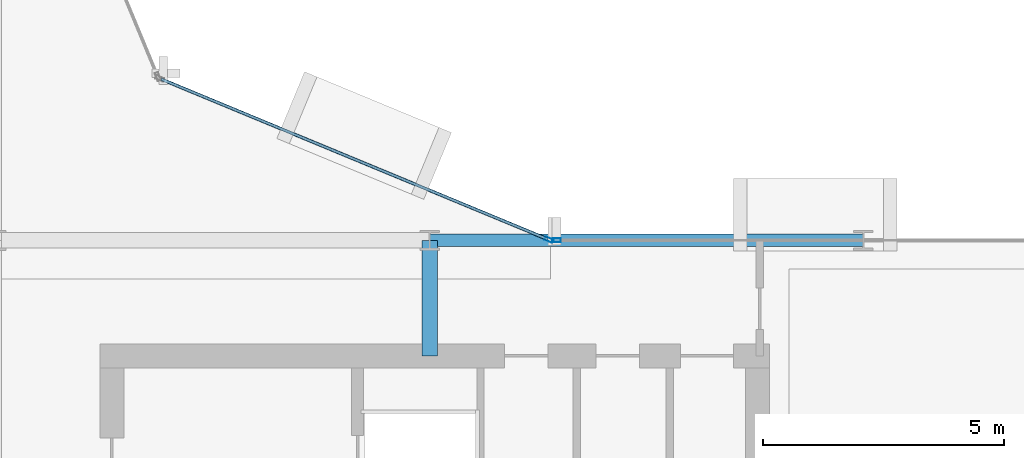
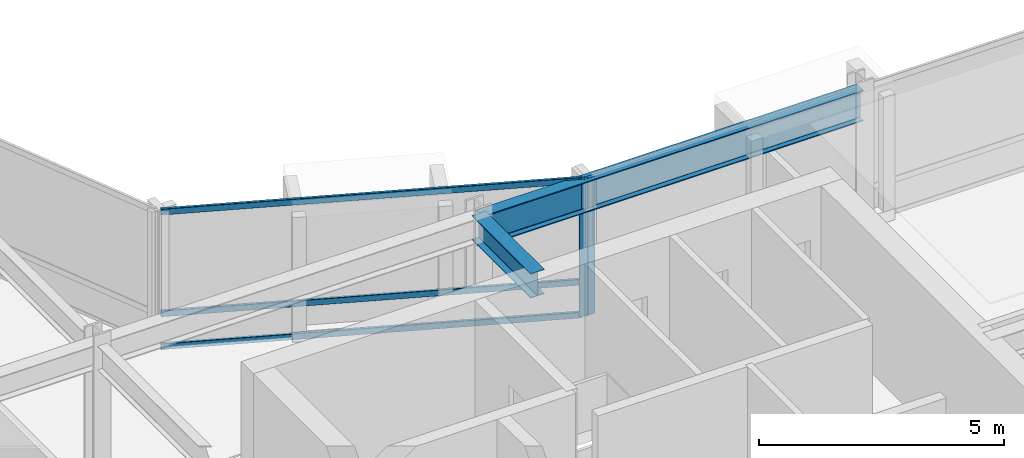
# One storey, part 12 of 27: 5 members, 2 beams, 2 elements without a shape of their own.
"""IFC4 building model written with IfcOpenShell, lengths in metres."""

from ifc_helpers import new_model, si_unit, direction, frame, origin, origin_2d, place, context, subcontext, project, spatial, hollow_rectangle, i_section, extrude, material, layer, layer_set, material_profile, profile_set, type_object, element, aggregate, save


model = new_model("IFC4")

# Units and contexts
model_context = context("Model", 3, precision=1e-05, world=origin(), true_north=direction((0.0, 1.0)))
body_context = subcontext(model_context, "Body", "Model", "MODEL_VIEW")
ifc_project = project(units=[si_unit("LENGTHUNIT", "METRE"), si_unit("AREAUNIT", "SQUARE_METRE"), si_unit("VOLUMEUNIT", "CUBIC_METRE"), si_unit("PLANEANGLEUNIT", "RADIAN"), si_unit("MASSUNIT", "GRAM", prefix="KILO")], contexts=[model_context])

# Site, building, storey
site_placement = place(None, origin())
site = spatial("IfcSite", under=ifc_project, at=site_placement, CompositionType="ELEMENT")
building_placement = place(site_placement, origin())
building = spatial("IfcBuilding", under=site, at=building_placement, Name="Solvaryn Broadcast Tower", CompositionType="ELEMENT")
storey_placement = place(building_placement, frame((0.0, 0.0, 185.300048828125)))
storey = spatial("IfcBuildingStorey", under=building, at=storey_placement, Name="L46", CompositionType="ELEMENT", Elevation=185.300048828125)

# Beams
ifc_material_1 = material(Name="Steel ASTM A992 Grade 50", Category="steel")
ifc_material_profile_1 = material_profile(ifc_material_1, i_section(OverallWidth=0.323974609375, OverallDepth=0.611083984375, WebThickness=0.0126953125, FlangeThickness=0.01904296875, FilletRadius=0.014892578125, at=origin_2d()))
ifc_profile_set_1 = profile_set([ifc_material_profile_1], Name="Steel ASTM A992 Grade 50")
beam_type_1 = type_object("IfcBeamType", Name="BM-B1-W24X104", PredefinedType="BEAM", material=ifc_profile_set_1)
beam_1_placement = place(storey_placement, frame((36.0, 24.60009765625, 3.114501953125), z_axis=(0.0, 1.0, 0.0), x_axis=(-1.0, 0.0, 0.0)))
element("IfcBeam", 1, at=beam_1_placement, inside=storey, type_object=beam_type_1, Name="L46 Core Tie Beam CTE2", PredefinedType="BEAM", context=body_context, shape_type="SweptSolid", body=[
    extrude(i_section(OverallWidth=0.323974609375, OverallDepth=0.611083984375, WebThickness=0.0126953125, FlangeThickness=0.01904296875, FilletRadius=0.014892578125, at=origin_2d()), origin(), (0.0, 0.0, 1.0), 2.39990234375),
])
ifc_material_2 = material(Name="Steel ASTM A992 Grade 50", Category="steel")
ifc_material_profile_2 = material_profile(ifc_material_2, i_section(OverallWidth=0.26708984375, OverallDepth=0.76611328125, WebThickness=0.014892578125, FlangeThickness=0.023681640625, FilletRadius=0.01806640625, at=origin_2d()))
ifc_profile_set_2 = profile_set([ifc_material_profile_2], Name="Steel ASTM A992 Grade 50")
beam_type_2 = type_object("IfcBeamType", Name="BM-SP2-W30X124", PredefinedType="USERDEFINED", material=ifc_profile_set_2)
beam_2_placement = place(storey_placement, frame((36.0, 27.0, 3.036865234375), z_axis=(1.0, 0.0, 0.0), x_axis=(0.0, 1.0, 0.0)))
element("IfcBeam", 2, at=beam_2_placement, inside=storey, type_object=beam_type_2, Name="L46 Spandrel Beam X (36-45 @ Y=27)", ObjectType="SPANDREL", PredefinedType="USERDEFINED", context=body_context, shape_type="SweptSolid", body=[
    extrude(i_section(OverallWidth=0.26708984375, OverallDepth=0.76611328125, WebThickness=0.014892578125, FlangeThickness=0.023681640625, FilletRadius=0.01806640625, at=origin_2d()), origin(), (0.0, 0.0, 1.0), 9.0),
])

# Curtain wall, member
ifc_material_3 = material(Name="Aluminium and Terracotta Unitised Curtain Wall", Category="masonry")
ifc_layer = layer(ifc_material_3, 0.199951171875)
ifc_layer_set = layer_set([ifc_layer], Name="CW-SYS2-LOWMID")
curtain_wall_type = type_object("IfcCurtainWallType", Name="CW-SYS2-LOWMID", PredefinedType="NOTDEFINED", material=ifc_layer_set)
curtain_wall_1_placement = place(storey_placement, origin())
curtain_wall_1 = element("IfcCurtainWall", 3, at=curtain_wall_1_placement, inside=storey, type_object=curtain_wall_type, Name="L46 Curtain Wall CN1", PredefinedType="NOTDEFINED")
ifc_material_4 = material(Name="Anodised Aluminium 6063-T6", Category="aluminium")
ifc_material_profile_3 = material_profile(ifc_material_4, hollow_rectangle(XDim=0.074951171875, YDim=0.179931640625, WallThickness=0.00390625, InnerFilletRadius=0.00390625, OuterFilletRadius=0.008056640625, at=origin_2d()))
ifc_profile_set_3 = profile_set([ifc_material_profile_3], Name="Anodised Aluminium 6063-T6")
member_type_1 = type_object("IfcMemberType", Name="CW-MUL-180", PredefinedType="MULLION", material=ifc_profile_set_3)
member_1_placement = place(storey_placement, frame((38.47216796875, 27.011474609375, 0.0), z_axis=(0.0, 0.0, 1.0), x_axis=(-0.382646127145, -0.923894983957, 0.0)))
member_1 = element("IfcMember", 4, at=member_1_placement, type_object=member_type_1, Name="CWS2 mullion 1", PredefinedType="MULLION", context=body_context, shape_type="SweptSolid", body=[
    extrude(hollow_rectangle(XDim=0.074951171875, YDim=0.179931640625, WallThickness=0.00390625, InnerFilletRadius=0.00390625, OuterFilletRadius=0.008056640625, at=origin_2d()), origin(), (0.0, 0.0, 1.0), 3.419921875),
])

curtain_wall_2_placement = place(storey_placement, origin())
curtain_wall_2 = element("IfcCurtainWall", 5, at=curtain_wall_2_placement, inside=storey, type_object=curtain_wall_type, Name="L46 Curtain Wall IH", PredefinedType="NOTDEFINED")
member_2_placement = place(storey_placement, frame((38.6298828125, 27.0, 0.0), z_axis=(0.0, 0.0, 1.0), x_axis=(0.0, 1.0, 0.0)))
member_2 = element("IfcMember", 6, at=member_2_placement, type_object=member_type_1, Name="CWS2 mullion 1", PredefinedType="MULLION", context=body_context, shape_type="SweptSolid", body=[
    extrude(hollow_rectangle(XDim=0.074951171875, YDim=0.179931640625, WallThickness=0.00390625, InnerFilletRadius=0.00390625, OuterFilletRadius=0.008056640625, at=origin_2d()), origin(), (0.0, 0.0, 1.0), 3.419921875),
])
aggregate(curtain_wall_2, [member_2])

# Member
ifc_material_5 = material(Name="Anodised Aluminium 6063-T6", Category="aluminium")
ifc_material_profile_4 = material_profile(ifc_material_5, hollow_rectangle(XDim=0.06494140625, YDim=0.14990234375, WallThickness=0.00390625, InnerFilletRadius=0.00390625, OuterFilletRadius=0.008056640625, at=origin_2d()))
ifc_profile_set_4 = profile_set([ifc_material_profile_4], Name="Anodised Aluminium 6063-T6")
member_type_2 = type_object("IfcMemberType", Name="CW-TRN-150", PredefinedType="USERDEFINED", material=ifc_profile_set_4)
member_3_placement = place(storey_placement, frame((38.444580078125, 27.02294921875, 0.030029296875), z_axis=(-0.923899282177, 0.382635748975, 0.0), x_axis=(-0.382635748975, -0.923899282177, 0.0)))
member_3 = element("IfcMember", 7, at=member_3_placement, type_object=member_type_2, Name="CWS2 transom 1.1", ObjectType="TRANSOM", PredefinedType="USERDEFINED", context=body_context, shape_type="SweptSolid", body=[
    extrude(hollow_rectangle(XDim=0.06494140625, YDim=0.14990234375, WallThickness=0.00390625, InnerFilletRadius=0.00390625, OuterFilletRadius=0.008056640625, at=origin_2d()), origin(), (0.0, 0.0, 1.0), 8.681884765625),
])

member_4_placement = place(storey_placement, frame((38.444580078125, 27.02294921875, 0.849853515625), z_axis=(-0.923899282177, 0.382635748975, 0.0), x_axis=(-0.382635748975, -0.923899282177, 0.0)))
member_4 = element("IfcMember", 8, at=member_4_placement, type_object=member_type_2, Name="CWS2 transom 1.2", ObjectType="TRANSOM", PredefinedType="USERDEFINED", context=body_context, shape_type="SweptSolid", body=[
    extrude(hollow_rectangle(XDim=0.06494140625, YDim=0.14990234375, WallThickness=0.00390625, InnerFilletRadius=0.00390625, OuterFilletRadius=0.008056640625, at=origin_2d()), origin(), (0.0, 0.0, 1.0), 8.681884765625),
])

member_5_placement = place(storey_placement, frame((38.444580078125, 27.02294921875, 3.389892578125), z_axis=(-0.923899282177, 0.382635748975, 0.0), x_axis=(-0.382635748975, -0.923899282177, 0.0)))
member_5 = element("IfcMember", 9, at=member_5_placement, type_object=member_type_2, Name="CWS2 transom 1.3", ObjectType="TRANSOM", PredefinedType="USERDEFINED", context=body_context, shape_type="SweptSolid", body=[
    extrude(hollow_rectangle(XDim=0.06494140625, YDim=0.14990234375, WallThickness=0.00390625, InnerFilletRadius=0.00390625, OuterFilletRadius=0.008056640625, at=origin_2d()), origin(), (0.0, 0.0, 1.0), 8.681884765625),
])

aggregate(curtain_wall_1, [member_1, member_3, member_4, member_5])

save(model, "model.ifc")
